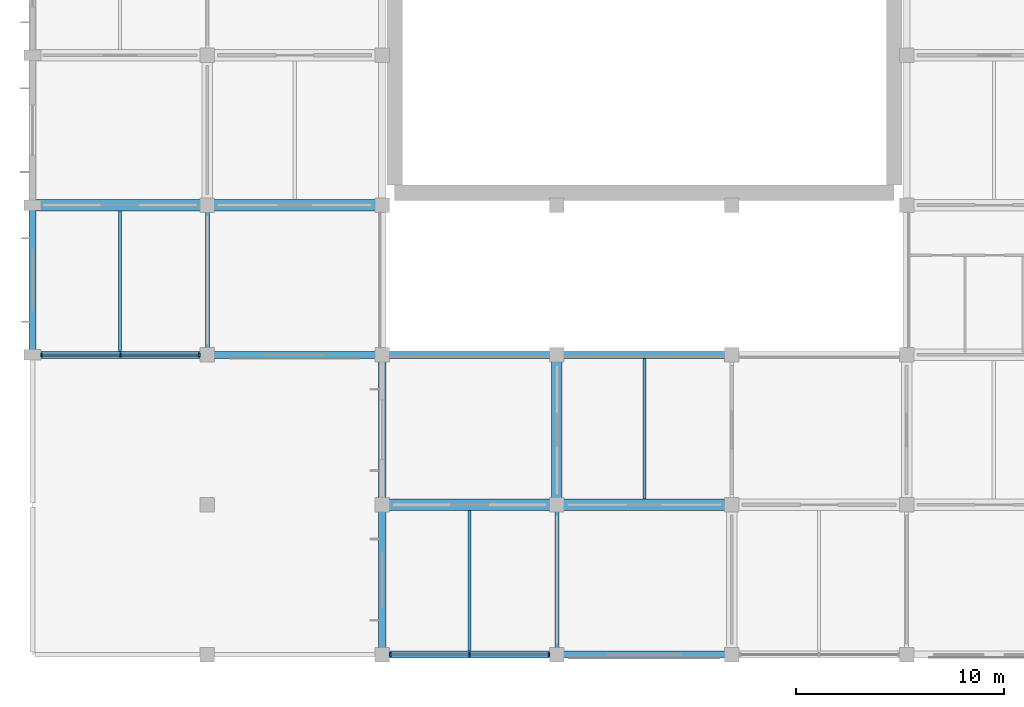
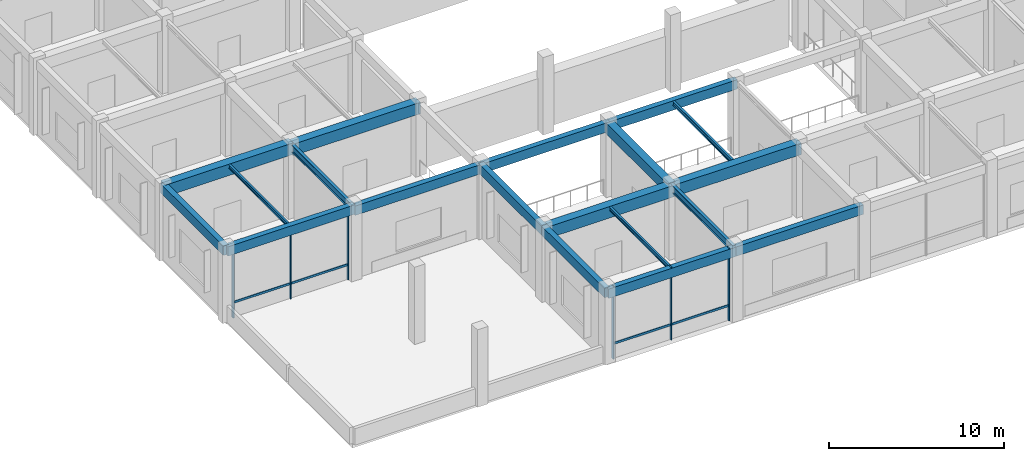
# One storey, part 2 of 41: 19 beams, 10 members, 2 elements without a shape of their own.
"""IFC4 building model written with IfcOpenShell, lengths in metres."""

from ifc_helpers import new_model, si_unit, derived_unit, direction, frame, origin, origin_2d, place, context, subcontext, project, spatial, rectangle, i_section, extrude, material, material_profile, profile_set, type_object, element, aggregate, save


model = new_model("IFC4")

# Units and contexts
model_context = context("Model", 3, precision=1e-05, world=origin(), true_north=direction((0.0, 1.0)))
body_context = subcontext(model_context, "Body", "Model", "MODEL_VIEW")
ifc_project = project(units=[si_unit("LENGTHUNIT", "METRE"), si_unit("AREAUNIT", "SQUARE_METRE"), si_unit("VOLUMEUNIT", "CUBIC_METRE"), si_unit("PLANEANGLEUNIT", "RADIAN"), si_unit("MASSUNIT", "GRAM", prefix="KILO"), derived_unit("THERMALTRANSMITTANCEUNIT", [(si_unit("MASSUNIT", "GRAM", prefix="KILO"), 1), (si_unit("TIMEUNIT", "SECOND"), -3), (si_unit("THERMODYNAMICTEMPERATUREUNIT", "KELVIN"), -1)])], contexts=[model_context])

# Site, building, storey
site_placement = place(None, origin())
site = spatial("IfcSite", under=ifc_project, at=site_placement, CompositionType="ELEMENT")
building_placement = place(site_placement, origin())
building = spatial("IfcBuilding", under=site, at=building_placement, Name="Veldstrom Oceanarium and Marine Research Institute", CompositionType="ELEMENT")
storey_placement = place(building_placement, frame((0.0, 0.0, 6.0)))
storey = spatial("IfcBuildingStorey", under=building, at=storey_placement, Name="L01", CompositionType="ELEMENT", Elevation=6.0)

# Curtain wall, members
ifc_material_1 = material(Name="Anodised Aluminium Framing", Category="aluminium")
curtain_wall_type = type_object("IfcCurtainWallType", Name="ARC-CW-CW02", PredefinedType="USERDEFINED", material=ifc_material_1)
curtain_wall_1_placement = place(storey_placement, origin())
curtain_wall_1 = element("IfcCurtainWall", 1, at=curtain_wall_1_placement, inside=storey, type_object=curtain_wall_type, Name="Curtain Wall CW02 CW-L01-003", ObjectType="Curtain wall", PredefinedType="USERDEFINED")
ifc_material_2 = material(Name="Anodised Aluminium Framing", Category="aluminium")
ifc_material_profile_1 = material_profile(ifc_material_2, rectangle(XDim=0.074951171875, YDim=0.179931640625, at=origin_2d()), Name="ALU-MUL-75x180")
ifc_profile_set_1 = profile_set([ifc_material_profile_1], Name="Anodised Aluminium Framing")
member_type_1 = type_object("IfcMemberType", Name="ARC-MUL-ML1", PredefinedType="MULLION", material=ifc_profile_set_1)
member_1_placement = place(storey_placement, frame((0.43994140625, 14.39990234375, 0.0), z_axis=(0.0, 0.0, 1.0), x_axis=(1.0, 0.0, 0.0)))
member_1 = element("IfcMember", 2, at=member_1_placement, type_object=member_type_1, Name="Curtain Wall Mullion CW-L01-003-MUL-1", PredefinedType="MULLION", context=body_context, shape_type="SweptSolid", body=[
    extrude(rectangle(XDim=0.074951171875, YDim=0.179931640625, at=origin_2d()), origin(), (0.0, 0.0, 1.0), 5.074951171875),
])
member_2_placement = place(storey_placement, frame((4.22509765625, 14.39990234375, 0.0), z_axis=(0.0, 0.0, 1.0), x_axis=(1.0, 0.0, 0.0)))
member_2 = element("IfcMember", 3, at=member_2_placement, type_object=member_type_1, Name="Curtain Wall Mullion CW-L01-003-MUL-2", PredefinedType="MULLION", context=body_context, shape_type="SweptSolid", body=[
    extrude(rectangle(XDim=0.074951171875, YDim=0.179931640625, at=origin_2d()), origin(), (0.0, 0.0, 1.0), 5.074951171875),
])
member_3_placement = place(storey_placement, frame((8.010009765625, 14.39990234375, 0.0), z_axis=(0.0, 0.0, 1.0), x_axis=(1.0, 0.0, 0.0)))
member_3 = element("IfcMember", 4, at=member_3_placement, type_object=member_type_1, Name="Curtain Wall Mullion CW-L01-003-MUL-3", PredefinedType="MULLION", context=body_context, shape_type="SweptSolid", body=[
    extrude(rectangle(XDim=0.074951171875, YDim=0.179931640625, at=origin_2d()), origin(), (0.0, 0.0, 1.0), 5.074951171875),
])

curtain_wall_2_placement = place(storey_placement, origin())
curtain_wall_2 = element("IfcCurtainWall", 5, at=curtain_wall_2_placement, inside=storey, type_object=curtain_wall_type, Name="Curtain Wall CW02 CW-L01-004", ObjectType="Curtain wall", PredefinedType="USERDEFINED")
member_4_placement = place(storey_placement, frame((17.18994140625, 0.0, 0.0), z_axis=(0.0, 0.0, 1.0), x_axis=(1.0, 0.0, 0.0)))
member_4 = element("IfcMember", 6, at=member_4_placement, type_object=member_type_1, Name="Curtain Wall Mullion CW-L01-004-MUL-1", PredefinedType="MULLION", context=body_context, shape_type="SweptSolid", body=[
    extrude(rectangle(XDim=0.074951171875, YDim=0.179931640625, at=origin_2d()), origin(), (0.0, 0.0, 1.0), 5.074951171875),
])
member_5_placement = place(storey_placement, frame((21.0, 0.0, 0.0), z_axis=(0.0, 0.0, 1.0), x_axis=(1.0, 0.0, 0.0)))
member_5 = element("IfcMember", 7, at=member_5_placement, type_object=member_type_1, Name="Curtain Wall Mullion CW-L01-004-MUL-2", PredefinedType="MULLION", context=body_context, shape_type="SweptSolid", body=[
    extrude(rectangle(XDim=0.074951171875, YDim=0.179931640625, at=origin_2d()), origin(), (0.0, 0.0, 1.0), 5.074951171875),
])
member_6_placement = place(storey_placement, frame((24.81005859375, 0.0, 0.0), z_axis=(0.0, 0.0, 1.0), x_axis=(1.0, 0.0, 0.0)))
member_6 = element("IfcMember", 8, at=member_6_placement, type_object=member_type_1, Name="Curtain Wall Mullion CW-L01-004-MUL-3", PredefinedType="MULLION", context=body_context, shape_type="SweptSolid", body=[
    extrude(rectangle(XDim=0.074951171875, YDim=0.179931640625, at=origin_2d()), origin(), (0.0, 0.0, 1.0), 5.074951171875),
])

# Member
ifc_material_3 = material(Name="Anodised Aluminium Framing", Category="aluminium")
ifc_material_profile_2 = material_profile(ifc_material_3, rectangle(XDim=0.074951171875, YDim=0.14990234375, at=origin_2d()), Name="ALU-TRN-75x150")
ifc_profile_set_2 = profile_set([ifc_material_profile_2], Name="Anodised Aluminium Framing")
member_type_2 = type_object("IfcMemberType", Name="ARC-TRN-TR1", PredefinedType="USERDEFINED", material=ifc_profile_set_2)
member_7_placement = place(storey_placement, frame((0.47998046875, 14.39990234375, 1.050048828125), z_axis=(1.0, 0.0, 0.0), x_axis=(0.0, 1.0, 0.0)))
member_7 = element("IfcMember", 9, at=member_7_placement, type_object=member_type_2, Name="Curtain Wall Transom CW-L01-003-TRN-1", ObjectType="Transom", PredefinedType="USERDEFINED", context=body_context, shape_type="SweptSolid", body=[
    extrude(rectangle(XDim=0.074951171875, YDim=0.14990234375, at=origin_2d()), origin(), (0.0, 0.0, 1.0), 3.705078125),
])

member_8_placement = place(storey_placement, frame((4.264892578125, 14.39990234375, 1.050048828125), z_axis=(1.0, 0.0, 0.0), x_axis=(0.0, 1.0, 0.0)))
member_8 = element("IfcMember", 10, at=member_8_placement, type_object=member_type_2, Name="Curtain Wall Transom CW-L01-003-TRN-2", ObjectType="Transom", PredefinedType="USERDEFINED", context=body_context, shape_type="SweptSolid", body=[
    extrude(rectangle(XDim=0.074951171875, YDim=0.14990234375, at=origin_2d()), origin(), (0.0, 0.0, 1.0), 3.705078125),
])

aggregate(curtain_wall_1, [member_1, member_2, member_3, member_7, member_8])

member_9_placement = place(storey_placement, frame((17.22998046875, 0.0, 1.050048828125), z_axis=(1.0, 0.0, 0.0), x_axis=(0.0, 1.0, 0.0)))
member_9 = element("IfcMember", 11, at=member_9_placement, type_object=member_type_2, Name="Curtain Wall Transom CW-L01-004-TRN-1", ObjectType="Transom", PredefinedType="USERDEFINED", context=body_context, shape_type="SweptSolid", body=[
    extrude(rectangle(XDim=0.074951171875, YDim=0.14990234375, at=origin_2d()), origin(), (0.0, 0.0, 1.0), 3.72998046875),
])

member_10_placement = place(storey_placement, frame((21.0400390625, 0.0, 1.050048828125), z_axis=(1.0, 0.0, 0.0), x_axis=(0.0, 1.0, 0.0)))
member_10 = element("IfcMember", 12, at=member_10_placement, type_object=member_type_2, Name="Curtain Wall Transom CW-L01-004-TRN-2", ObjectType="Transom", PredefinedType="USERDEFINED", context=body_context, shape_type="SweptSolid", body=[
    extrude(rectangle(XDim=0.074951171875, YDim=0.14990234375, at=origin_2d()), origin(), (0.0, 0.0, 1.0), 3.72998046875),
])

aggregate(curtain_wall_2, [member_4, member_5, member_6, member_9, member_10])

# Beams
ifc_material_4 = material(Name="Concrete C40/50", Category="concrete")
ifc_material_profile_3 = material_profile(ifc_material_4, rectangle(XDim=0.550048828125, YDim=0.800048828125, at=origin_2d()), Name="RC-BM-550x800")
ifc_profile_set_3 = profile_set([ifc_material_profile_3], Name="Concrete C40/50")
beam_type_1 = type_object("IfcBeamType", Name="STR-BM-B02", PredefinedType="BEAM", material=ifc_profile_set_3)
beam_1_placement = place(storey_placement, frame((0.0, 21.60009765625, 4.77001953125), z_axis=(1.0, 0.0, 0.0), x_axis=(0.0, 1.0, 0.0)))
element("IfcBeam", 13, at=beam_1_placement, inside=storey, type_object=beam_type_1, Name="Primary Beam B02 L01-1133", PredefinedType="BEAM", context=body_context, shape_type="SweptSolid", body=[
    extrude(rectangle(XDim=0.550048828125, YDim=0.800048828125, at=origin_2d()), origin(), (0.0, 0.0, 1.0), 8.39990234375),
])
beam_2_placement = place(storey_placement, frame((8.39990234375, 21.60009765625, 4.669921875), z_axis=(1.0, 0.0, 0.0), x_axis=(0.0, 1.0, 0.0)))
element("IfcBeam", 14, at=beam_2_placement, inside=storey, type_object=beam_type_1, Name="Primary Beam B02 L01-1142", PredefinedType="BEAM", context=body_context, shape_type="SweptSolid", body=[
    extrude(rectangle(XDim=0.550048828125, YDim=0.800048828125, at=origin_2d()), origin(), (0.0, 0.0, 1.0), 8.400146484375),
])
beam_3_placement = place(storey_placement, frame((16.800048828125, 7.199951171875, 4.669921875), z_axis=(1.0, 0.0, 0.0), x_axis=(0.0, 1.0, 0.0)))
element("IfcBeam", 15, at=beam_3_placement, inside=storey, type_object=beam_type_1, Name="Primary Beam B02 L01-1151", PredefinedType="BEAM", context=body_context, shape_type="SweptSolid", body=[
    extrude(rectangle(XDim=0.550048828125, YDim=0.800048828125, at=origin_2d()), origin(), (0.0, 0.0, 1.0), 8.39990234375),
])
beam_4_placement = place(storey_placement, frame((25.199951171875, 7.199951171875, 4.669921875), z_axis=(1.0, 0.0, 0.0), x_axis=(0.0, 1.0, 0.0)))
element("IfcBeam", 16, at=beam_4_placement, inside=storey, type_object=beam_type_1, Name="Primary Beam B02 L01-1159", PredefinedType="BEAM", context=body_context, shape_type="SweptSolid", body=[
    extrude(rectangle(XDim=0.550048828125, YDim=0.800048828125, at=origin_2d()), origin(), (0.0, 0.0, 1.0), 8.400146484375),
])
ifc_material_5 = material(Name="Concrete C40/50", Category="concrete")
ifc_material_profile_4 = material_profile(ifc_material_5, rectangle(XDim=0.5, YDim=0.75, at=origin_2d()), Name="RC-BM-500x750")
ifc_profile_set_4 = profile_set([ifc_material_profile_4], Name="Concrete C40/50")
beam_type_2 = type_object("IfcBeamType", Name="STR-BM-B03", PredefinedType="BEAM", material=ifc_profile_set_4)
beam_5_placement = place(storey_placement, frame((25.199951171875, 7.199951171875, 4.695068359375), z_axis=(0.0, 1.0, 0.0), x_axis=(-1.0, 0.0, 0.0)))
element("IfcBeam", 17, at=beam_5_placement, inside=storey, type_object=beam_type_2, Name="Primary Beam B03 L01-1312", PredefinedType="BEAM", context=body_context, shape_type="SweptSolid", body=[
    extrude(rectangle(XDim=0.5, YDim=0.75, at=origin_2d()), origin(), (0.0, 0.0, 1.0), 7.199951171875),
])
ifc_material_6 = material(Name="Steel S355JR", Category="steel")
ifc_material_profile_5 = material_profile(ifc_material_6, i_section(OverallWidth=0.199951171875, OverallDepth=0.5, WebThickness=0.01025390625, FlangeThickness=0.01611328125, FilletRadius=0.02099609375, at=origin_2d()), Name="IPE 500")
ifc_profile_set_5 = profile_set([ifc_material_profile_5], Name="Steel S355JR")
beam_type_3 = type_object("IfcBeamType", Name="STR-BM-SB6", PredefinedType="BEAM", material=ifc_profile_set_5)
beam_6_placement = place(storey_placement, frame((8.39990234375, 14.39990234375, 4.820068359375), z_axis=(0.0, 1.0, 0.0), x_axis=(-1.0, 0.0, 0.0)))
element("IfcBeam", 18, at=beam_6_placement, inside=storey, type_object=beam_type_3, Name="Steel Tie Beam SB6 L01-1293", PredefinedType="BEAM", context=body_context, shape_type="SweptSolid", body=[
    extrude(i_section(OverallWidth=0.199951171875, OverallDepth=0.5, WebThickness=0.01025390625, FlangeThickness=0.01611328125, FilletRadius=0.02099609375, at=origin_2d()), origin(), (0.0, 0.0, 1.0), 7.2001953125),
])
beam_7_placement = place(storey_placement, frame((25.199951171875, 0.0, 4.820068359375), z_axis=(0.0, 1.0, 0.0), x_axis=(-1.0, 0.0, 0.0)))
element("IfcBeam", 19, at=beam_7_placement, inside=storey, type_object=beam_type_3, Name="Steel Tie Beam SB6 L01-1311", PredefinedType="BEAM", context=body_context, shape_type="SweptSolid", body=[
    extrude(i_section(OverallWidth=0.199951171875, OverallDepth=0.5, WebThickness=0.01025390625, FlangeThickness=0.01611328125, FilletRadius=0.02099609375, at=origin_2d()), origin(), (0.0, 0.0, 1.0), 7.199951171875),
])
ifc_material_7 = material(Name="Steel S355JR", Category="steel")
ifc_material_profile_6 = material_profile(ifc_material_7, i_section(OverallWidth=0.14990234375, OverallDepth=0.300048828125, WebThickness=0.007080078125, FlangeThickness=0.0107421875, FilletRadius=0.014892578125, at=origin_2d()), Name="IPE 300")
ifc_profile_set_6 = profile_set([ifc_material_profile_6], Name="Steel S355JR")
beam_type_4 = type_object("IfcBeamType", Name="STR-JST-SJ2", PredefinedType="JOIST", material=ifc_profile_set_6)
beam_8_placement = place(storey_placement, frame((29.39990234375, 7.47509765625, 4.919921875), z_axis=(0.0, 1.0, 0.0), x_axis=(-1.0, 0.0, 0.0)))
element("IfcBeam", 20, at=beam_8_placement, inside=storey, type_object=beam_type_4, Name="Secondary Joist SJ2 L01-1442", PredefinedType="JOIST", context=body_context, shape_type="SweptSolid", body=[
    extrude(i_section(OverallWidth=0.14990234375, OverallDepth=0.300048828125, WebThickness=0.007080078125, FlangeThickness=0.0107421875, FilletRadius=0.014892578125, at=origin_2d()), origin(), (0.0, 0.0, 1.0), 6.75),
])
ifc_material_8 = material(Name="Steel S355JR", Category="steel")
ifc_material_profile_7 = material_profile(ifc_material_8, i_section(OverallWidth=0.135009765625, OverallDepth=0.27001953125, WebThickness=0.006591796875, FlangeThickness=0.01025390625, FilletRadius=0.014892578125, at=origin_2d()), Name="IPE 270")
ifc_profile_set_7 = profile_set([ifc_material_profile_7], Name="Steel S355JR")
beam_type_5 = type_object("IfcBeamType", Name="STR-JST-SJ3", PredefinedType="JOIST", material=ifc_profile_set_7)
for number, where, z_axis, x_axis, name in (
    (21, (4.199951171875, 14.574951171875, 5.034912109375), (0.0, 1.0, 0.0), (-1.0, 0.0, 0.0), "Secondary Joist SJ3 L01-1432"),
    (22, (21.0, 0.175048828125, 4.93505859375), (0.0, 1.0, 0.0), (-1.0, 0.0, 0.0), "Secondary Joist SJ3 L01-1439"),
):
    element("IfcBeam", number, at=place(storey_placement, frame(where, z_axis=z_axis, x_axis=x_axis)), inside=storey, type_object=beam_type_5, Name=name, PredefinedType="JOIST", context=body_context, shape_type="SweptSolid", body=[
        extrude(i_section(OverallWidth=0.135009765625, OverallDepth=0.27001953125, WebThickness=0.006591796875, FlangeThickness=0.01025390625, FilletRadius=0.014892578125, at=origin_2d()), origin(), (0.0, 0.0, 1.0), 6.75),
    ])
ifc_material_9 = material(Name="Concrete C40/50", Category="concrete")
ifc_material_profile_8 = material_profile(ifc_material_9, rectangle(XDim=0.35009765625, YDim=0.64990234375, at=origin_2d()), Name="RC-SPN-350x650")
ifc_profile_set_8 = profile_set([ifc_material_profile_8], Name="Concrete C40/50")
beam_type_6 = type_object("IfcBeamType", Name="STR-SPN-SP1", PredefinedType="SPANDREL", material=ifc_profile_set_8)
beam_9_placement = place(storey_placement, frame((0.0, 14.39990234375, 4.844970703125), z_axis=(1.0, 0.0, 0.0), x_axis=(0.0, 1.0, 0.0)))
element("IfcBeam", 23, at=beam_9_placement, inside=storey, type_object=beam_type_6, Name="Perimeter Spandrel SPB1 L01-1132", PredefinedType="SPANDREL", context=body_context, shape_type="SweptSolid", body=[
    extrude(rectangle(XDim=0.35009765625, YDim=0.64990234375, at=origin_2d()), origin(), (0.0, 0.0, 1.0), 8.39990234375),
])
beam_10_placement = place(storey_placement, frame((8.39990234375, 14.39990234375, 4.7451171875), z_axis=(1.0, 0.0, 0.0), x_axis=(0.0, 1.0, 0.0)))
element("IfcBeam", 24, at=beam_10_placement, inside=storey, type_object=beam_type_6, Name="Perimeter Spandrel SPB1 L01-1141", PredefinedType="SPANDREL", context=body_context, shape_type="SweptSolid", body=[
    extrude(rectangle(XDim=0.35009765625, YDim=0.64990234375, at=origin_2d()), origin(), (0.0, 0.0, 1.0), 8.400146484375),
])
for number, where, z_axis, x_axis, name in (
    (25, (16.800048828125, 0.0, 4.7451171875), (1.0, 0.0, 0.0), (0.0, 1.0, 0.0), "Perimeter Spandrel SPB1 L01-1150"),
    (26, (16.800048828125, 14.39990234375, 4.7451171875), (1.0, 0.0, 0.0), (0.0, 1.0, 0.0), "Perimeter Spandrel SPB1 L01-1152"),
):
    element("IfcBeam", number, at=place(storey_placement, frame(where, z_axis=z_axis, x_axis=x_axis)), inside=storey, type_object=beam_type_6, Name=name, PredefinedType="SPANDREL", context=body_context, shape_type="SweptSolid", body=[
        extrude(rectangle(XDim=0.35009765625, YDim=0.64990234375, at=origin_2d()), origin(), (0.0, 0.0, 1.0), 8.39990234375),
    ])
for number, where, z_axis, x_axis, name in (
    (27, (25.199951171875, 0.0, 4.7451171875), (1.0, 0.0, 0.0), (0.0, 1.0, 0.0), "Perimeter Spandrel SPB1 L01-1158"),
    (28, (25.199951171875, 14.39990234375, 4.7451171875), (1.0, 0.0, 0.0), (0.0, 1.0, 0.0), "Perimeter Spandrel SPB1 L01-1160"),
):
    element("IfcBeam", number, at=place(storey_placement, frame(where, z_axis=z_axis, x_axis=x_axis)), inside=storey, type_object=beam_type_6, Name=name, PredefinedType="SPANDREL", context=body_context, shape_type="SweptSolid", body=[
        extrude(rectangle(XDim=0.35009765625, YDim=0.64990234375, at=origin_2d()), origin(), (0.0, 0.0, 1.0), 8.400146484375),
    ])
beam_11_placement = place(storey_placement, frame((0.0, 14.39990234375, 4.844970703125), z_axis=(0.0, 1.0, 0.0), x_axis=(-1.0, 0.0, 0.0)))
element("IfcBeam", 29, at=beam_11_placement, inside=storey, type_object=beam_type_6, Name="Perimeter Spandrel SPB1 L01-1285", PredefinedType="SPANDREL", context=body_context, shape_type="SweptSolid", body=[
    extrude(rectangle(XDim=0.35009765625, YDim=0.64990234375, at=origin_2d()), origin(), (0.0, 0.0, 1.0), 7.2001953125),
])
for number, where, z_axis, x_axis, name in (
    (30, (16.800048828125, 0.0, 4.7451171875), (0.0, 1.0, 0.0), (-1.0, 0.0, 0.0), "Perimeter Spandrel SPB1 L01-1301"),
    (31, (16.800048828125, 7.199951171875, 4.7451171875), (0.0, 1.0, 0.0), (-1.0, 0.0, 0.0), "Perimeter Spandrel SPB1 L01-1302"),
):
    element("IfcBeam", number, at=place(storey_placement, frame(where, z_axis=z_axis, x_axis=x_axis)), inside=storey, type_object=beam_type_6, Name=name, PredefinedType="SPANDREL", context=body_context, shape_type="SweptSolid", body=[
        extrude(rectangle(XDim=0.35009765625, YDim=0.64990234375, at=origin_2d()), origin(), (0.0, 0.0, 1.0), 7.199951171875),
    ])

save(model, "model.ifc")
